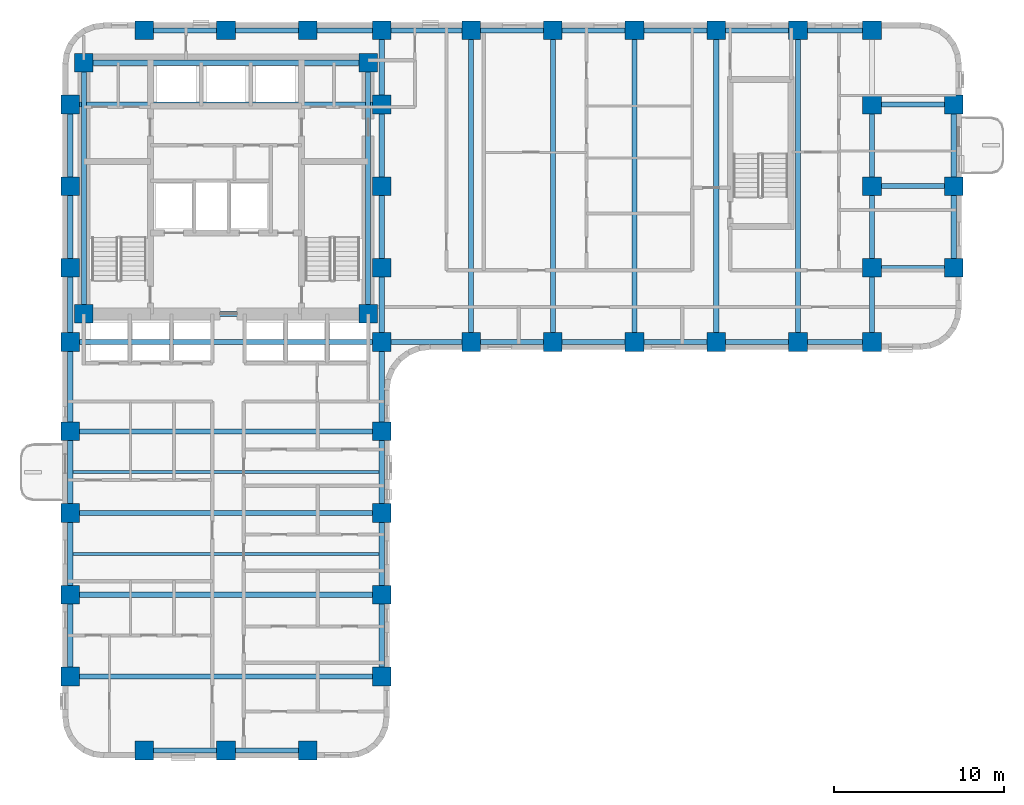
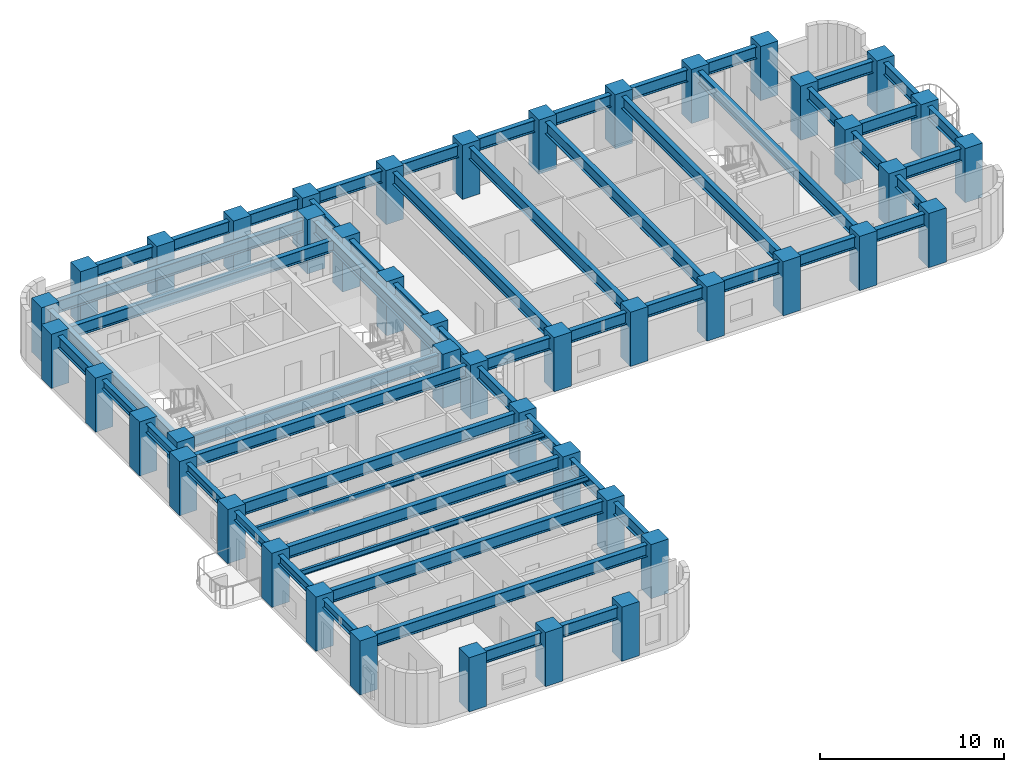
# One storey, part 1 of 12: 57 beams, 45 columns.
"""IFC4 building model written with IfcOpenShell, lengths in metres."""

import ifcopenshell
import ifcopenshell.guid

model = None  # the IFC model being written
_history = None  # IfcOwnerHistory: only IFC2X3 demands one
_inside = {}  # id of a spatial element -> (the spatial element, [elements in it])
_under = {}  # id of a project, library or spatial element -> (it, [spatial elements below it])
_declared = {}  # id of a project -> (the project, [libraries it declares])
_typed = {}  # id of a type object -> (the type object, [elements of that type])
_made_of = {}  # id of a material, layer set ... -> (it, [elements and type objects made of it])


def new_model(schema):
    """Start an empty IFC model of exactly this schema.

    Asked for "IFC4X3", IfcOpenShell would pick the latest addendum, in which some entities
    have other attributes; the version numbers below select the first issue.
    IFC2X3 requires an IfcOwnerHistory on every rooted entity: one is made here for all.
    """
    global model, _history
    if schema == "IFC4X3":
        model = ifcopenshell.file(schema_version=(4, 3, 0, 0))
    else:
        model = ifcopenshell.file(schema=schema)
    _inside.clear()
    _under.clear()
    _declared.clear()
    _typed.clear()
    _made_of.clear()
    _history = None
    if model.schema == "IFC2X3":
        org = make("IfcOrganization", Name="unknown")
        user = make(
            "IfcPersonAndOrganization",
            ThePerson=make("IfcPerson", FamilyName="unknown"),
            TheOrganization=org,
        )
        app = make(
            "IfcApplication",
            ApplicationDeveloper=org,
            Version="unknown",
            ApplicationFullName="unknown",
            ApplicationIdentifier="unknown",
        )
        _history = make(
            "IfcOwnerHistory",
            OwningUser=user,
            OwningApplication=app,
            ChangeAction="ADDED",
            CreationDate=0,
        )
    return model


def make(cls, **values):
    """One entity of the class cls with the attributes given. An attribute that is None is left unset."""
    return model.create_entity(
        cls, **{name: value for name, value in values.items() if value is not None}
    )


def rooted(cls, **values):
    """An entity with a GlobalId (a new one), such as an element, a storey or a relation."""
    return make(cls, GlobalId=ifcopenshell.guid.new(), OwnerHistory=_history, **values)


def si_unit(unit_type, name, prefix=None):
    """IfcSIUnit, for example si_unit("LENGTHUNIT", "METRE", prefix="MILLI")."""
    return make("IfcSIUnit", UnitType=unit_type, Prefix=prefix, Name=name)


def assignment(units):
    """IfcUnitAssignment: the units of a project."""
    return None if units is None else make("IfcUnitAssignment", Units=units)


def point(xyz):
    """IfcCartesianPoint."""
    return None if xyz is None else make("IfcCartesianPoint", Coordinates=xyz)


def direction(xyz):
    """IfcDirection."""
    return None if xyz is None else make("IfcDirection", DirectionRatios=xyz)


def frame(location, z_axis=None, x_axis=None):
    """IfcAxis2Placement3D, a coordinate frame: its origin and axes. An axis left out is left unset."""
    return make(
        "IfcAxis2Placement3D",
        Location=point(location),
        Axis=direction(z_axis),
        RefDirection=direction(x_axis),
    )


def frame_2d(location, x_axis=None):
    """IfcAxis2Placement2D, a coordinate frame in the plane: its origin and x axis."""
    return make(
        "IfcAxis2Placement2D", Location=point(location), RefDirection=direction(x_axis)
    )


def origin():
    """The frame at (0, 0, 0) with its axes left unset."""
    return frame((0.0, 0.0, 0.0))


def origin_2d():
    """The frame at (0, 0) in the plane with its x axis left unset."""
    return frame_2d((0.0, 0.0))


def place(relative_to, where):
    """IfcLocalPlacement: puts the frame where relative to a parent placement (None: the world)."""
    return make(
        "IfcLocalPlacement", PlacementRelTo=relative_to, RelativePlacement=where
    )


def context(
    kind, dimensions, precision=None, world=None, true_north=None, identifier=None
):
    """IfcGeometricRepresentationContext, for example the 3D "Model" context."""
    return make(
        "IfcGeometricRepresentationContext",
        ContextIdentifier=identifier,
        ContextType=kind,
        CoordinateSpaceDimension=dimensions,
        Precision=precision,
        WorldCoordinateSystem=world,
        TrueNorth=true_north,
    )


def subcontext(parent, identifier, kind, view, scale=None):
    """IfcGeometricRepresentationSubContext, for example "Body" below "Model"."""
    return make(
        "IfcGeometricRepresentationSubContext",
        ContextIdentifier=identifier,
        ContextType=kind,
        ParentContext=parent,
        TargetScale=scale,
        TargetView=view,
    )


def project(units=None, contexts=None):
    """IfcProject with its units and contexts."""
    return rooted(
        "IfcProject",
        Name="project",
        RepresentationContexts=contexts,
        UnitsInContext=assignment(units),
    )


def spatial(cls, under=None, at=None, **own):
    """A site, building, storey or space (cls), placed at a placement, below another one or the project."""
    s = rooted(cls, ObjectPlacement=at, **own)
    if under is not None:
        _under.setdefault(under.id(), (under, []))[1].append(s)
    return s


def profile(cls, at=None, kind="AREA", **sizes):
    """A parametric profile (cls). Its sizes go by their IFC names, for example OverallWidth=200.0."""
    return make(cls, ProfileType=kind, Position=at, **sizes)


def rectangle(**sizes):
    """IfcRectangleProfileDef."""
    return profile("IfcRectangleProfileDef", **sizes)


def i_section(**sizes):
    """IfcIShapeProfileDef."""
    return profile("IfcIShapeProfileDef", **sizes)


def extrude(swept, where, along, depth):
    """IfcExtrudedAreaSolid: the profile swept, set in the frame where, extruded along a direction by depth."""
    return make(
        "IfcExtrudedAreaSolid",
        SweptArea=swept,
        Position=where,
        ExtrudedDirection=direction(along),
        Depth=depth,
    )


def shape(context_of_items, identifier, shape_type, items):
    """IfcShapeRepresentation: the items that make up one representation, for example the "Body"."""
    return make(
        "IfcShapeRepresentation",
        ContextOfItems=context_of_items,
        RepresentationIdentifier=identifier,
        RepresentationType=shape_type,
        Items=items,
    )


def material(Name=None, Category=None):
    """IfcMaterial."""
    return make("IfcMaterial", Name=Name, Category=Category)


def material_profile(
    of_material, cross_section, Name=None, Category=None, Priority=None
):
    """IfcMaterialProfile: a cross section and its material."""
    return make(
        "IfcMaterialProfile",
        Name=Name,
        Material=of_material,
        Profile=cross_section,
        Priority=Priority,
        Category=Category,
    )


def profile_set(profiles, Name=None, composite=None):
    """IfcMaterialProfileSet."""
    return make(
        "IfcMaterialProfileSet",
        Name=Name,
        MaterialProfiles=profiles,
        CompositeProfile=composite,
    )


def made_of(thing, what):
    """Note that an element or type object is made of a material, layer set ...; save() writes the relation."""
    if what is not None:
        _made_of.setdefault(what.id(), (what, []))[1].append(thing)
    return thing


def type_object(cls, material=None, **own):
    """A type object (cls), such as IfcWallType, which elements share."""
    return made_of(rooted(cls, **own), material)


def element(
    cls,
    number,
    at=None,
    inside=None,
    cuts=None,
    type_object=None,
    material=None,
    context=None,
    identifier="Body",
    shape_type=None,
    held_by="IfcProductDefinitionShape",
    body=None,
    shapes=None,
    **own,
):
    """One element of the class cls, such as IfcWall. Its Tag is "e" and its number.

    at: its placement. inside: the storey or other place that contains it. cuts: it is an
    opening in that element (IfcRelVoidsElement). A single representation is given by context,
    identifier, shape_type and body (its items); several are given by shapes. held_by: the class
    of the entity that holds the representations. save() writes the other relations.
    """
    e = rooted(cls, Tag="e%d" % number, ObjectPlacement=at, **own)
    if body is not None:
        shapes = [shape(context, identifier, shape_type, body)]
    if shapes is not None:
        e.Representation = make(held_by, Representations=shapes)
    if inside is not None:
        _inside.setdefault(inside.id(), (inside, []))[1].append(e)
    if cuts is not None:
        rooted(
            "IfcRelVoidsElement", RelatingBuildingElement=cuts, RelatedOpeningElement=e
        )
    if type_object is not None:
        _typed.setdefault(type_object.id(), (type_object, []))[1].append(e)
    return made_of(e, material)


def aggregate(whole, parts):
    """IfcRelAggregates: a whole, such as a stair, and the parts it consists of."""
    return rooted("IfcRelAggregates", RelatingObject=whole, RelatedObjects=parts)


def save(model, path):
    """Write the relations noted so far, then the file.

    IfcRelAggregates (storeys below a building ...), IfcRelContainedInSpatialStructure (elements
    in a storey), IfcRelDefinesByType, IfcRelAssociatesMaterial and IfcRelDeclares: one each for
    every whole, place, type object, material and project.
    """
    for whole, parts in _under.values():
        aggregate(whole, parts)
    for where, things in _inside.values():
        rooted(
            "IfcRelContainedInSpatialStructure",
            RelatedElements=things,
            RelatingStructure=where,
        )
    for kind, things in _typed.values():
        rooted("IfcRelDefinesByType", RelatedObjects=things, RelatingType=kind)
    for what, things in _made_of.values():
        rooted("IfcRelAssociatesMaterial", RelatedObjects=things, RelatingMaterial=what)
    for by, libraries in _declared.values():
        rooted("IfcRelDeclares", RelatingContext=by, RelatedDefinitions=libraries)
    model.write(path)


model = new_model("IFC4")

# Units and contexts
model_context = context("Model", 3, precision=1e-05, world=origin(), true_north=direction((0.0, 1.0)))
body_context = subcontext(model_context, "Body", "Model", "MODEL_VIEW")
ifc_project = project(units=[si_unit("LENGTHUNIT", "METRE"), si_unit("AREAUNIT", "SQUARE_METRE"), si_unit("VOLUMEUNIT", "CUBIC_METRE"), si_unit("PLANEANGLEUNIT", "RADIAN"), si_unit("MASSUNIT", "GRAM", prefix="KILO")], contexts=[model_context])

# Site, building, storey
site_placement = place(None, origin())
site = spatial("IfcSite", under=ifc_project, at=site_placement, CompositionType="ELEMENT")
building_placement = place(site_placement, origin())
building = spatial("IfcBuilding", under=site, at=building_placement, Name="Orvandelia Arch Residences", CompositionType="ELEMENT")
storey_placement = place(building_placement, frame((0.0, 0.0, 57.39990234375)))
storey = spatial("IfcBuildingStorey", under=building, at=storey_placement, Name="L14", CompositionType="ELEMENT", Elevation=57.39990234375)

# Columns
ifc_material_1 = material(Name="Concrete C80/95", Category="concrete")
ifc_material_profile_1 = material_profile(ifc_material_1, rectangle(XDim=1.10009765625, YDim=1.10009765625, at=origin_2d()), Name="Concrete C80/95", Category="concrete")
ifc_profile_set_1 = profile_set([ifc_material_profile_1], Name="Concrete C80/95")
column_type = type_object("IfcColumnType", Name="COL-TWR-1100", PredefinedType="COLUMN", material=ifc_profile_set_1)
for number, where, z_axis, x_axis, name in (
    (1, (5.25, 9.60009765625, 0.0), (0.0, 0.0, 1.0), (1.0, 0.0, 0.0), "Structural Column L14-W-W-96"),
    (2, (5.25, 14.39990234375, 0.0), (0.0, 0.0, 1.0), (1.0, 0.0, 0.0), "Structural Column L14-W-W-144"),
    (3, (5.25, 19.199951171875, 0.0), (0.0, 0.0, 1.0), (1.0, 0.0, 0.0), "Structural Column L14-W-W-192"),
    (4, (5.25, 24.0, 0.0), (0.0, 0.0, 1.0), (1.0, 0.0, 0.0), "Structural Column L14-W-W-240"),
    (5, (5.25, 29.25, 0.0), (0.0, 0.0, 1.0), (1.0, 0.0, 0.0), "Structural Column L14-W-W-292"),
    (6, (5.25, 33.60009765625, 0.0), (0.0, 0.0, 1.0), (1.0, 0.0, 0.0), "Structural Column L14-W-W-336"),
    (7, (5.25, 38.39990234375, 0.0), (0.0, 0.0, 1.0), (1.0, 0.0, 0.0), "Structural Column L14-W-W-384"),
    (8, (5.25, 43.199951171875, 0.0), (0.0, 0.0, 1.0), (1.0, 0.0, 0.0), "Structural Column L14-W-W-432"),
    (9, (6.050048828125, 30.89990234375, 0.0), (0.0, 0.0, 1.0), (1.0, 0.0, 0.0), "Structural Column L14-CR-SW"),
    (10, (6.050048828125, 45.64990234375, 0.0), (0.0, 0.0, 1.0), (1.0, 0.0, 0.0), "Structural Column L14-CR-NW"),
    (11, (9.60009765625, 5.25, 0.0), (0.0, 0.0, 1.0), (1.0, 0.0, 0.0), "Structural Column L14-W-S-96"),
    (12, (9.60009765625, 47.550048828125, 0.0), (0.0, 0.0, 1.0), (1.0, 0.0, 0.0), "Structural Column L14-W-N-96"),
    (13, (14.39990234375, 5.25, 0.0), (0.0, 0.0, 1.0), (1.0, 0.0, 0.0), "Structural Column L14-W-S-144"),
    (14, (14.39990234375, 47.550048828125, 0.0), (0.0, 0.0, 1.0), (1.0, 0.0, 0.0), "Structural Column L14-W-N-144"),
    (15, (19.199951171875, 5.25, 0.0), (0.0, 0.0, 1.0), (1.0, 0.0, 0.0), "Structural Column L14-W-S-192"),
    (16, (19.199951171875, 47.550048828125, 0.0), (0.0, 0.0, 1.0), (1.0, 0.0, 0.0), "Structural Column L14-W-N-192"),
    (17, (22.75, 30.89990234375, 0.0), (0.0, 0.0, 1.0), (1.0, 0.0, 0.0), "Structural Column L14-CR-SE"),
    (18, (22.75, 45.64990234375, 0.0), (0.0, 0.0, 1.0), (1.0, 0.0, 0.0), "Structural Column L14-CR-NE"),
    (19, (23.550048828125, 9.60009765625, 0.0), (0.0, 0.0, 1.0), (1.0, 0.0, 0.0), "Structural Column L14-W-E-96"),
    (20, (23.550048828125, 14.39990234375, 0.0), (0.0, 0.0, 1.0), (1.0, 0.0, 0.0), "Structural Column L14-W-E-144"),
    (21, (23.550048828125, 19.199951171875, 0.0), (0.0, 0.0, 1.0), (1.0, 0.0, 0.0), "Structural Column L14-W-E-192"),
    (22, (23.550048828125, 24.0, 0.0), (0.0, 0.0, 1.0), (1.0, 0.0, 0.0), "Structural Column L14-W-E-240"),
    (23, (23.550048828125, 29.25, 0.0), (0.0, 0.0, 1.0), (1.0, 0.0, 0.0), "Structural Column L14-W-E-292"),
    (24, (23.550048828125, 33.60009765625, 0.0), (0.0, 0.0, 1.0), (1.0, 0.0, 0.0), "Structural Column L14-W-E-336"),
    (25, (23.550048828125, 38.39990234375, 0.0), (0.0, 0.0, 1.0), (1.0, 0.0, 0.0), "Structural Column L14-W-E-384"),
    (26, (23.550048828125, 43.199951171875, 0.0), (0.0, 0.0, 1.0), (1.0, 0.0, 0.0), "Structural Column L14-W-E-432"),
    (27, (23.550048828125, 47.550048828125, 0.0), (0.0, 0.0, 1.0), (1.0, 0.0, 0.0), "Structural Column L14-W-N-235"),
    (28, (28.800048828125, 29.25, 0.0), (0.0, 0.0, 1.0), (1.0, 0.0, 0.0), "Structural Column L14-E-S-288"),
    (29, (28.800048828125, 47.550048828125, 0.0), (0.0, 0.0, 1.0), (1.0, 0.0, 0.0), "Structural Column L14-E-N-288"),
    (30, (33.60009765625, 29.25, 0.0), (0.0, 0.0, 1.0), (1.0, 0.0, 0.0), "Structural Column L14-E-S-336"),
    (31, (33.60009765625, 47.550048828125, 0.0), (0.0, 0.0, 1.0), (1.0, 0.0, 0.0), "Structural Column L14-E-N-336"),
    (32, (38.39990234375, 29.25, 0.0), (0.0, 0.0, 1.0), (1.0, 0.0, 0.0), "Structural Column L14-E-S-384"),
    (33, (38.39990234375, 47.550048828125, 0.0), (0.0, 0.0, 1.0), (1.0, 0.0, 0.0), "Structural Column L14-E-N-384"),
    (34, (43.199951171875, 29.25, 0.0), (0.0, 0.0, 1.0), (1.0, 0.0, 0.0), "Structural Column L14-E-S-432"),
    (35, (43.199951171875, 47.550048828125, 0.0), (0.0, 0.0, 1.0), (1.0, 0.0, 0.0), "Structural Column L14-E-N-432"),
    (36, (48.0, 29.25, 0.0), (0.0, 0.0, 1.0), (1.0, 0.0, 0.0), "Structural Column L14-E-S-480"),
    (37, (48.0, 47.550048828125, 0.0), (0.0, 0.0, 1.0), (1.0, 0.0, 0.0), "Structural Column L14-E-N-480"),
    (38, (52.35009765625, 29.25, 0.0), (0.0, 0.0, 1.0), (1.0, 0.0, 0.0), "Structural Column L14-E-S-523"),
    (39, (52.35009765625, 33.60009765625, 0.0), (0.0, 0.0, 1.0), (1.0, 0.0, 0.0), "Structural Column L14-E-523-336"),
    (40, (52.35009765625, 38.39990234375, 0.0), (0.0, 0.0, 1.0), (1.0, 0.0, 0.0), "Structural Column L14-E-523-384"),
    (41, (52.35009765625, 43.199951171875, 0.0), (0.0, 0.0, 1.0), (1.0, 0.0, 0.0), "Structural Column L14-E-523-432"),
    (42, (52.35009765625, 47.550048828125, 0.0), (0.0, 0.0, 1.0), (1.0, 0.0, 0.0), "Structural Column L14-E-N-523"),
    (43, (57.14990234375, 33.60009765625, 0.0), (0.0, 0.0, 1.0), (1.0, 0.0, 0.0), "Structural Column L14-E-571-336"),
    (44, (57.14990234375, 38.39990234375, 0.0), (0.0, 0.0, 1.0), (1.0, 0.0, 0.0), "Structural Column L14-E-571-384"),
    (45, (57.14990234375, 43.199951171875, 0.0), (0.0, 0.0, 1.0), (1.0, 0.0, 0.0), "Structural Column L14-E-571-432"),
):
    element("IfcColumn", number, at=place(storey_placement, frame(where, z_axis=z_axis, x_axis=x_axis)), inside=storey, type_object=column_type, Name=name, PredefinedType="COLUMN", context=body_context, shape_type="SweptSolid", body=[
        extrude(rectangle(XDim=1.10009765625, YDim=1.10009765625, at=origin_2d()), origin(), (0.0, 0.0, 1.0), 3.60009765625),
    ])

# Beams
ifc_material_2 = material(Name="Structural Steel SM355 (355 MPa)", Category="steel")
ifc_material_profile_2 = material_profile(ifc_material_2, i_section(OverallWidth=0.300048828125, OverallDepth=0.800048828125, WebThickness=0.013916015625, FlangeThickness=0.02587890625, FilletRadius=0.02587890625, at=origin_2d()), Name="Structural Steel SM355 (355 MPa)", Category="steel")
ifc_profile_set_2 = profile_set([ifc_material_profile_2], Name="Structural Steel SM355 (355 MPa)")
beam_type_1 = type_object("IfcBeamType", Name="BM-GRD-H800", PredefinedType="BEAM", material=ifc_profile_set_2)
beam_1_placement = place(storey_placement, frame((5.25, 38.39990234375, 2.9501953125), z_axis=(0.0, 1.0, 0.0), x_axis=(-1.0, 0.0, 0.0)))
element("IfcBeam", 46, at=beam_1_placement, inside=storey, type_object=beam_type_1, Name="Structural Frame Beam L14-NS-007", PredefinedType="BEAM", context=body_context, shape_type="SweptSolid", body=[
    extrude(i_section(OverallWidth=0.300048828125, OverallDepth=0.800048828125, WebThickness=0.013916015625, FlangeThickness=0.02587890625, FilletRadius=0.02587890625, at=origin_2d()), origin(), (0.0, 0.0, 1.0), 4.800048828125),
])
for number, where, z_axis, x_axis, name in (
    (47, (6.050048828125, 30.89990234375, 2.9501953125), (0.0, 1.0, 0.0), (-1.0, 0.0, 0.0), "Structural Frame Beam L14-NS-008"),
    (48, (22.75, 30.89990234375, 2.9501953125), (0.0, 1.0, 0.0), (-1.0, 0.0, 0.0), "Structural Frame Beam L14-NS-009"),
):
    element("IfcBeam", number, at=place(storey_placement, frame(where, z_axis=z_axis, x_axis=x_axis)), inside=storey, type_object=beam_type_1, Name=name, PredefinedType="BEAM", context=body_context, shape_type="SweptSolid", body=[
        extrude(i_section(OverallWidth=0.300048828125, OverallDepth=0.800048828125, WebThickness=0.013916015625, FlangeThickness=0.02587890625, FilletRadius=0.02587890625, at=origin_2d()), origin(), (0.0, 0.0, 1.0), 14.75),
    ])
beam_2_placement = place(storey_placement, frame((23.550048828125, 9.60009765625, 2.9501953125), z_axis=(0.0, 1.0, 0.0), x_axis=(-1.0, 0.0, 0.0)))
element("IfcBeam", 49, at=beam_2_placement, inside=storey, type_object=beam_type_1, Name="Structural Frame Beam L14-NS-010", PredefinedType="BEAM", context=body_context, shape_type="SweptSolid", body=[
    extrude(i_section(OverallWidth=0.300048828125, OverallDepth=0.800048828125, WebThickness=0.013916015625, FlangeThickness=0.02587890625, FilletRadius=0.02587890625, at=origin_2d()), origin(), (0.0, 0.0, 1.0), 4.7998046875),
])
for number, where, z_axis, x_axis, name in (
    (50, (23.550048828125, 14.39990234375, 2.9501953125), (0.0, 1.0, 0.0), (-1.0, 0.0, 0.0), "Structural Frame Beam L14-NS-011"),
    (51, (23.550048828125, 19.199951171875, 2.9501953125), (0.0, 1.0, 0.0), (-1.0, 0.0, 0.0), "Structural Frame Beam L14-NS-012"),
):
    element("IfcBeam", number, at=place(storey_placement, frame(where, z_axis=z_axis, x_axis=x_axis)), inside=storey, type_object=beam_type_1, Name=name, PredefinedType="BEAM", context=body_context, shape_type="SweptSolid", body=[
        extrude(i_section(OverallWidth=0.300048828125, OverallDepth=0.800048828125, WebThickness=0.013916015625, FlangeThickness=0.02587890625, FilletRadius=0.02587890625, at=origin_2d()), origin(), (0.0, 0.0, 1.0), 4.800048828125),
    ])
beam_3_placement = place(storey_placement, frame((23.550048828125, 24.0, 2.9501953125), z_axis=(0.0, 1.0, 0.0), x_axis=(-1.0, 0.0, 0.0)))
element("IfcBeam", 52, at=beam_3_placement, inside=storey, type_object=beam_type_1, Name="Structural Frame Beam L14-NS-013", PredefinedType="BEAM", context=body_context, shape_type="SweptSolid", body=[
    extrude(i_section(OverallWidth=0.300048828125, OverallDepth=0.800048828125, WebThickness=0.013916015625, FlangeThickness=0.02587890625, FilletRadius=0.02587890625, at=origin_2d()), origin(), (0.0, 0.0, 1.0), 5.25),
])
beam_4_placement = place(storey_placement, frame((23.550048828125, 29.25, 2.9501953125), z_axis=(0.0, 1.0, 0.0), x_axis=(-1.0, 0.0, 0.0)))
element("IfcBeam", 53, at=beam_4_placement, inside=storey, type_object=beam_type_1, Name="Structural Frame Beam L14-NS-014", PredefinedType="BEAM", context=body_context, shape_type="SweptSolid", body=[
    extrude(i_section(OverallWidth=0.300048828125, OverallDepth=0.800048828125, WebThickness=0.013916015625, FlangeThickness=0.02587890625, FilletRadius=0.02587890625, at=origin_2d()), origin(), (0.0, 0.0, 1.0), 4.35009765625),
])
beam_5_placement = place(storey_placement, frame((23.550048828125, 33.60009765625, 2.9501953125), z_axis=(0.0, 1.0, 0.0), x_axis=(-1.0, 0.0, 0.0)))
element("IfcBeam", 54, at=beam_5_placement, inside=storey, type_object=beam_type_1, Name="Structural Frame Beam L14-NS-015", PredefinedType="BEAM", context=body_context, shape_type="SweptSolid", body=[
    extrude(i_section(OverallWidth=0.300048828125, OverallDepth=0.800048828125, WebThickness=0.013916015625, FlangeThickness=0.02587890625, FilletRadius=0.02587890625, at=origin_2d()), origin(), (0.0, 0.0, 1.0), 4.7998046875),
])
beam_6_placement = place(storey_placement, frame((23.550048828125, 38.39990234375, 2.9501953125), z_axis=(0.0, 1.0, 0.0), x_axis=(-1.0, 0.0, 0.0)))
element("IfcBeam", 55, at=beam_6_placement, inside=storey, type_object=beam_type_1, Name="Structural Frame Beam L14-NS-016", PredefinedType="BEAM", context=body_context, shape_type="SweptSolid", body=[
    extrude(i_section(OverallWidth=0.300048828125, OverallDepth=0.800048828125, WebThickness=0.013916015625, FlangeThickness=0.02587890625, FilletRadius=0.02587890625, at=origin_2d()), origin(), (0.0, 0.0, 1.0), 4.800048828125),
])
beam_7_placement = place(storey_placement, frame((23.550048828125, 43.199951171875, 2.9501953125), z_axis=(0.0, 1.0, 0.0), x_axis=(-1.0, 0.0, 0.0)))
element("IfcBeam", 56, at=beam_7_placement, inside=storey, type_object=beam_type_1, Name="Structural Frame Beam L14-NS-017", PredefinedType="BEAM", context=body_context, shape_type="SweptSolid", body=[
    extrude(i_section(OverallWidth=0.300048828125, OverallDepth=0.800048828125, WebThickness=0.013916015625, FlangeThickness=0.02587890625, FilletRadius=0.02587890625, at=origin_2d()), origin(), (0.0, 0.0, 1.0), 4.35009765625),
])
for number, where, z_axis, x_axis, name in (
    (57, (28.800048828125, 29.25, 2.9501953125), (0.0, 1.0, 0.0), (-1.0, 0.0, 0.0), "Structural Frame Beam L14-NS-018"),
    (58, (33.60009765625, 29.25, 2.9501953125), (0.0, 1.0, 0.0), (-1.0, 0.0, 0.0), "Structural Frame Beam L14-NS-019"),
    (59, (38.39990234375, 29.25, 2.9501953125), (0.0, 1.0, 0.0), (-1.0, 0.0, 0.0), "Structural Frame Beam L14-NS-020"),
    (60, (43.199951171875, 29.25, 2.9501953125), (0.0, 1.0, 0.0), (-1.0, 0.0, 0.0), "Structural Frame Beam L14-NS-021"),
    (61, (48.0, 29.25, 2.9501953125), (0.0, 1.0, 0.0), (-1.0, 0.0, 0.0), "Structural Frame Beam L14-NS-022"),
):
    element("IfcBeam", number, at=place(storey_placement, frame(where, z_axis=z_axis, x_axis=x_axis)), inside=storey, type_object=beam_type_1, Name=name, PredefinedType="BEAM", context=body_context, shape_type="SweptSolid", body=[
        extrude(i_section(OverallWidth=0.300048828125, OverallDepth=0.800048828125, WebThickness=0.013916015625, FlangeThickness=0.02587890625, FilletRadius=0.02587890625, at=origin_2d()), origin(), (0.0, 0.0, 1.0), 18.300048828125),
    ])
beam_8_placement = place(storey_placement, frame((52.35009765625, 29.25, 2.9501953125), z_axis=(0.0, 1.0, 0.0), x_axis=(-1.0, 0.0, 0.0)))
element("IfcBeam", 62, at=beam_8_placement, inside=storey, type_object=beam_type_1, Name="Structural Frame Beam L14-NS-023", PredefinedType="BEAM", context=body_context, shape_type="SweptSolid", body=[
    extrude(i_section(OverallWidth=0.300048828125, OverallDepth=0.800048828125, WebThickness=0.013916015625, FlangeThickness=0.02587890625, FilletRadius=0.02587890625, at=origin_2d()), origin(), (0.0, 0.0, 1.0), 4.35009765625),
])
beam_9_placement = place(storey_placement, frame((52.35009765625, 33.60009765625, 2.9501953125), z_axis=(0.0, 1.0, 0.0), x_axis=(-1.0, 0.0, 0.0)))
element("IfcBeam", 63, at=beam_9_placement, inside=storey, type_object=beam_type_1, Name="Structural Frame Beam L14-NS-024", PredefinedType="BEAM", context=body_context, shape_type="SweptSolid", body=[
    extrude(i_section(OverallWidth=0.300048828125, OverallDepth=0.800048828125, WebThickness=0.013916015625, FlangeThickness=0.02587890625, FilletRadius=0.02587890625, at=origin_2d()), origin(), (0.0, 0.0, 1.0), 4.7998046875),
])
beam_10_placement = place(storey_placement, frame((52.35009765625, 38.39990234375, 2.9501953125), z_axis=(0.0, 1.0, 0.0), x_axis=(-1.0, 0.0, 0.0)))
element("IfcBeam", 64, at=beam_10_placement, inside=storey, type_object=beam_type_1, Name="Structural Frame Beam L14-NS-025", PredefinedType="BEAM", context=body_context, shape_type="SweptSolid", body=[
    extrude(i_section(OverallWidth=0.300048828125, OverallDepth=0.800048828125, WebThickness=0.013916015625, FlangeThickness=0.02587890625, FilletRadius=0.02587890625, at=origin_2d()), origin(), (0.0, 0.0, 1.0), 4.800048828125),
])
beam_11_placement = place(storey_placement, frame((57.14990234375, 33.60009765625, 2.9501953125), z_axis=(0.0, 1.0, 0.0), x_axis=(-1.0, 0.0, 0.0)))
element("IfcBeam", 65, at=beam_11_placement, inside=storey, type_object=beam_type_1, Name="Structural Frame Beam L14-NS-027", PredefinedType="BEAM", context=body_context, shape_type="SweptSolid", body=[
    extrude(i_section(OverallWidth=0.300048828125, OverallDepth=0.800048828125, WebThickness=0.013916015625, FlangeThickness=0.02587890625, FilletRadius=0.02587890625, at=origin_2d()), origin(), (0.0, 0.0, 1.0), 4.7998046875),
])
beam_12_placement = place(storey_placement, frame((57.14990234375, 38.39990234375, 2.9501953125), z_axis=(0.0, 1.0, 0.0), x_axis=(-1.0, 0.0, 0.0)))
element("IfcBeam", 66, at=beam_12_placement, inside=storey, type_object=beam_type_1, Name="Structural Frame Beam L14-NS-028", PredefinedType="BEAM", context=body_context, shape_type="SweptSolid", body=[
    extrude(i_section(OverallWidth=0.300048828125, OverallDepth=0.800048828125, WebThickness=0.013916015625, FlangeThickness=0.02587890625, FilletRadius=0.02587890625, at=origin_2d()), origin(), (0.0, 0.0, 1.0), 4.800048828125),
])
beam_13_placement = place(storey_placement, frame((9.60009765625, 5.25, 2.9501953125), z_axis=(1.0, 0.0, 0.0), x_axis=(0.0, 1.0, 0.0)))
element("IfcBeam", 67, at=beam_13_placement, inside=storey, type_object=beam_type_1, Name="Structural Frame Girder L14-EW-029", PredefinedType="BEAM", context=body_context, shape_type="SweptSolid", body=[
    extrude(i_section(OverallWidth=0.300048828125, OverallDepth=0.800048828125, WebThickness=0.013916015625, FlangeThickness=0.02587890625, FilletRadius=0.02587890625, at=origin_2d()), origin(), (0.0, 0.0, 1.0), 4.7998046875),
])
beam_14_placement = place(storey_placement, frame((14.39990234375, 5.25, 2.9501953125), z_axis=(1.0, 0.0, 0.0), x_axis=(0.0, 1.0, 0.0)))
element("IfcBeam", 68, at=beam_14_placement, inside=storey, type_object=beam_type_1, Name="Structural Frame Girder L14-EW-030", PredefinedType="BEAM", context=body_context, shape_type="SweptSolid", body=[
    extrude(i_section(OverallWidth=0.300048828125, OverallDepth=0.800048828125, WebThickness=0.013916015625, FlangeThickness=0.02587890625, FilletRadius=0.02587890625, at=origin_2d()), origin(), (0.0, 0.0, 1.0), 4.800048828125),
])
for number, where, z_axis, x_axis, name in (
    (69, (5.25, 9.60009765625, 2.9501953125), (1.0, 0.0, 0.0), (0.0, 1.0, 0.0), "Structural Frame Girder L14-EW-031"),
    (70, (5.25, 14.39990234375, 2.9501953125), (1.0, 0.0, 0.0), (0.0, 1.0, 0.0), "Structural Frame Girder L14-EW-032"),
    (71, (5.25, 19.199951171875, 2.9501953125), (1.0, 0.0, 0.0), (0.0, 1.0, 0.0), "Structural Frame Girder L14-EW-033"),
    (72, (5.25, 24.0, 2.9501953125), (1.0, 0.0, 0.0), (0.0, 1.0, 0.0), "Structural Frame Girder L14-EW-034"),
    (73, (5.25, 29.25, 2.9501953125), (1.0, 0.0, 0.0), (0.0, 1.0, 0.0), "Structural Frame Girder L14-EW-035"),
):
    element("IfcBeam", number, at=place(storey_placement, frame(where, z_axis=z_axis, x_axis=x_axis)), inside=storey, type_object=beam_type_1, Name=name, PredefinedType="BEAM", context=body_context, shape_type="SweptSolid", body=[
        extrude(i_section(OverallWidth=0.300048828125, OverallDepth=0.800048828125, WebThickness=0.013916015625, FlangeThickness=0.02587890625, FilletRadius=0.02587890625, at=origin_2d()), origin(), (0.0, 0.0, 1.0), 18.300048828125),
    ])
beam_15_placement = place(storey_placement, frame((23.550048828125, 29.25, 2.9501953125), z_axis=(1.0, 0.0, 0.0), x_axis=(0.0, 1.0, 0.0)))
element("IfcBeam", 74, at=beam_15_placement, inside=storey, type_object=beam_type_1, Name="Structural Frame Girder L14-EW-036", PredefinedType="BEAM", context=body_context, shape_type="SweptSolid", body=[
    extrude(i_section(OverallWidth=0.300048828125, OverallDepth=0.800048828125, WebThickness=0.013916015625, FlangeThickness=0.02587890625, FilletRadius=0.02587890625, at=origin_2d()), origin(), (0.0, 0.0, 1.0), 5.25),
])
beam_16_placement = place(storey_placement, frame((28.800048828125, 29.25, 2.9501953125), z_axis=(1.0, 0.0, 0.0), x_axis=(0.0, 1.0, 0.0)))
element("IfcBeam", 75, at=beam_16_placement, inside=storey, type_object=beam_type_1, Name="Structural Frame Girder L14-EW-037", PredefinedType="BEAM", context=body_context, shape_type="SweptSolid", body=[
    extrude(i_section(OverallWidth=0.300048828125, OverallDepth=0.800048828125, WebThickness=0.013916015625, FlangeThickness=0.02587890625, FilletRadius=0.02587890625, at=origin_2d()), origin(), (0.0, 0.0, 1.0), 4.800048828125),
])
beam_17_placement = place(storey_placement, frame((33.60009765625, 29.25, 2.9501953125), z_axis=(1.0, 0.0, 0.0), x_axis=(0.0, 1.0, 0.0)))
element("IfcBeam", 76, at=beam_17_placement, inside=storey, type_object=beam_type_1, Name="Structural Frame Girder L14-EW-038", PredefinedType="BEAM", context=body_context, shape_type="SweptSolid", body=[
    extrude(i_section(OverallWidth=0.300048828125, OverallDepth=0.800048828125, WebThickness=0.013916015625, FlangeThickness=0.02587890625, FilletRadius=0.02587890625, at=origin_2d()), origin(), (0.0, 0.0, 1.0), 4.7998046875),
])
for number, where, z_axis, x_axis, name in (
    (77, (38.39990234375, 29.25, 2.9501953125), (1.0, 0.0, 0.0), (0.0, 1.0, 0.0), "Structural Frame Girder L14-EW-039"),
    (78, (43.199951171875, 29.25, 2.9501953125), (1.0, 0.0, 0.0), (0.0, 1.0, 0.0), "Structural Frame Girder L14-EW-040"),
):
    element("IfcBeam", number, at=place(storey_placement, frame(where, z_axis=z_axis, x_axis=x_axis)), inside=storey, type_object=beam_type_1, Name=name, PredefinedType="BEAM", context=body_context, shape_type="SweptSolid", body=[
        extrude(i_section(OverallWidth=0.300048828125, OverallDepth=0.800048828125, WebThickness=0.013916015625, FlangeThickness=0.02587890625, FilletRadius=0.02587890625, at=origin_2d()), origin(), (0.0, 0.0, 1.0), 4.800048828125),
    ])
beam_18_placement = place(storey_placement, frame((48.0, 29.25, 2.9501953125), z_axis=(1.0, 0.0, 0.0), x_axis=(0.0, 1.0, 0.0)))
element("IfcBeam", 79, at=beam_18_placement, inside=storey, type_object=beam_type_1, Name="Structural Frame Girder L14-EW-041", PredefinedType="BEAM", context=body_context, shape_type="SweptSolid", body=[
    extrude(i_section(OverallWidth=0.300048828125, OverallDepth=0.800048828125, WebThickness=0.013916015625, FlangeThickness=0.02587890625, FilletRadius=0.02587890625, at=origin_2d()), origin(), (0.0, 0.0, 1.0), 4.35009765625),
])
beam_19_placement = place(storey_placement, frame((6.050048828125, 30.89990234375, 2.9501953125), z_axis=(1.0, 0.0, 0.0), x_axis=(0.0, 1.0, 0.0)))
element("IfcBeam", 80, at=beam_19_placement, inside=storey, type_object=beam_type_1, Name="Structural Frame Girder L14-EW-042", PredefinedType="BEAM", context=body_context, shape_type="SweptSolid", body=[
    extrude(i_section(OverallWidth=0.300048828125, OverallDepth=0.800048828125, WebThickness=0.013916015625, FlangeThickness=0.02587890625, FilletRadius=0.02587890625, at=origin_2d()), origin(), (0.0, 0.0, 1.0), 16.699951171875),
])
for number, where, z_axis, x_axis, name in (
    (81, (52.35009765625, 33.60009765625, 2.9501953125), (1.0, 0.0, 0.0), (0.0, 1.0, 0.0), "Structural Frame Girder L14-EW-044"),
    (82, (52.35009765625, 38.39990234375, 2.9501953125), (1.0, 0.0, 0.0), (0.0, 1.0, 0.0), "Structural Frame Girder L14-EW-046"),
):
    element("IfcBeam", number, at=place(storey_placement, frame(where, z_axis=z_axis, x_axis=x_axis)), inside=storey, type_object=beam_type_1, Name=name, PredefinedType="BEAM", context=body_context, shape_type="SweptSolid", body=[
        extrude(i_section(OverallWidth=0.300048828125, OverallDepth=0.800048828125, WebThickness=0.013916015625, FlangeThickness=0.02587890625, FilletRadius=0.02587890625, at=origin_2d()), origin(), (0.0, 0.0, 1.0), 4.7998046875),
    ])
beam_20_placement = place(storey_placement, frame((5.25, 43.199951171875, 2.9501953125), z_axis=(1.0, 0.0, 0.0), x_axis=(0.0, 1.0, 0.0)))
element("IfcBeam", 83, at=beam_20_placement, inside=storey, type_object=beam_type_1, Name="Structural Frame Girder L14-EW-047", PredefinedType="BEAM", context=body_context, shape_type="SweptSolid", body=[
    extrude(i_section(OverallWidth=0.300048828125, OverallDepth=0.800048828125, WebThickness=0.013916015625, FlangeThickness=0.02587890625, FilletRadius=0.02587890625, at=origin_2d()), origin(), (0.0, 0.0, 1.0), 18.300048828125),
])
beam_21_placement = place(storey_placement, frame((52.35009765625, 43.199951171875, 2.9501953125), z_axis=(1.0, 0.0, 0.0), x_axis=(0.0, 1.0, 0.0)))
element("IfcBeam", 84, at=beam_21_placement, inside=storey, type_object=beam_type_1, Name="Structural Frame Girder L14-EW-048", PredefinedType="BEAM", context=body_context, shape_type="SweptSolid", body=[
    extrude(i_section(OverallWidth=0.300048828125, OverallDepth=0.800048828125, WebThickness=0.013916015625, FlangeThickness=0.02587890625, FilletRadius=0.02587890625, at=origin_2d()), origin(), (0.0, 0.0, 1.0), 4.7998046875),
])
beam_22_placement = place(storey_placement, frame((6.050048828125, 45.64990234375, 2.9501953125), z_axis=(1.0, 0.0, 0.0), x_axis=(0.0, 1.0, 0.0)))
element("IfcBeam", 85, at=beam_22_placement, inside=storey, type_object=beam_type_1, Name="Structural Frame Girder L14-EW-049", PredefinedType="BEAM", context=body_context, shape_type="SweptSolid", body=[
    extrude(i_section(OverallWidth=0.300048828125, OverallDepth=0.800048828125, WebThickness=0.013916015625, FlangeThickness=0.02587890625, FilletRadius=0.02587890625, at=origin_2d()), origin(), (0.0, 0.0, 1.0), 16.699951171875),
])
beam_23_placement = place(storey_placement, frame((9.60009765625, 47.550048828125, 2.9501953125), z_axis=(1.0, 0.0, 0.0), x_axis=(0.0, 1.0, 0.0)))
element("IfcBeam", 86, at=beam_23_placement, inside=storey, type_object=beam_type_1, Name="Structural Frame Girder L14-EW-050", PredefinedType="BEAM", context=body_context, shape_type="SweptSolid", body=[
    extrude(i_section(OverallWidth=0.300048828125, OverallDepth=0.800048828125, WebThickness=0.013916015625, FlangeThickness=0.02587890625, FilletRadius=0.02587890625, at=origin_2d()), origin(), (0.0, 0.0, 1.0), 4.7998046875),
])
beam_24_placement = place(storey_placement, frame((14.39990234375, 47.550048828125, 2.9501953125), z_axis=(1.0, 0.0, 0.0), x_axis=(0.0, 1.0, 0.0)))
element("IfcBeam", 87, at=beam_24_placement, inside=storey, type_object=beam_type_1, Name="Structural Frame Girder L14-EW-051", PredefinedType="BEAM", context=body_context, shape_type="SweptSolid", body=[
    extrude(i_section(OverallWidth=0.300048828125, OverallDepth=0.800048828125, WebThickness=0.013916015625, FlangeThickness=0.02587890625, FilletRadius=0.02587890625, at=origin_2d()), origin(), (0.0, 0.0, 1.0), 4.800048828125),
])
beam_25_placement = place(storey_placement, frame((19.199951171875, 47.550048828125, 2.9501953125), z_axis=(1.0, 0.0, 0.0), x_axis=(0.0, 1.0, 0.0)))
element("IfcBeam", 88, at=beam_25_placement, inside=storey, type_object=beam_type_1, Name="Structural Frame Girder L14-EW-052", PredefinedType="BEAM", context=body_context, shape_type="SweptSolid", body=[
    extrude(i_section(OverallWidth=0.300048828125, OverallDepth=0.800048828125, WebThickness=0.013916015625, FlangeThickness=0.02587890625, FilletRadius=0.02587890625, at=origin_2d()), origin(), (0.0, 0.0, 1.0), 4.35009765625),
])
beam_26_placement = place(storey_placement, frame((23.550048828125, 47.550048828125, 2.9501953125), z_axis=(1.0, 0.0, 0.0), x_axis=(0.0, 1.0, 0.0)))
element("IfcBeam", 89, at=beam_26_placement, inside=storey, type_object=beam_type_1, Name="Structural Frame Girder L14-EW-053", PredefinedType="BEAM", context=body_context, shape_type="SweptSolid", body=[
    extrude(i_section(OverallWidth=0.300048828125, OverallDepth=0.800048828125, WebThickness=0.013916015625, FlangeThickness=0.02587890625, FilletRadius=0.02587890625, at=origin_2d()), origin(), (0.0, 0.0, 1.0), 5.25),
])
beam_27_placement = place(storey_placement, frame((28.800048828125, 47.550048828125, 2.9501953125), z_axis=(1.0, 0.0, 0.0), x_axis=(0.0, 1.0, 0.0)))
element("IfcBeam", 90, at=beam_27_placement, inside=storey, type_object=beam_type_1, Name="Structural Frame Girder L14-EW-054", PredefinedType="BEAM", context=body_context, shape_type="SweptSolid", body=[
    extrude(i_section(OverallWidth=0.300048828125, OverallDepth=0.800048828125, WebThickness=0.013916015625, FlangeThickness=0.02587890625, FilletRadius=0.02587890625, at=origin_2d()), origin(), (0.0, 0.0, 1.0), 4.800048828125),
])
beam_28_placement = place(storey_placement, frame((33.60009765625, 47.550048828125, 2.9501953125), z_axis=(1.0, 0.0, 0.0), x_axis=(0.0, 1.0, 0.0)))
element("IfcBeam", 91, at=beam_28_placement, inside=storey, type_object=beam_type_1, Name="Structural Frame Girder L14-EW-055", PredefinedType="BEAM", context=body_context, shape_type="SweptSolid", body=[
    extrude(i_section(OverallWidth=0.300048828125, OverallDepth=0.800048828125, WebThickness=0.013916015625, FlangeThickness=0.02587890625, FilletRadius=0.02587890625, at=origin_2d()), origin(), (0.0, 0.0, 1.0), 4.7998046875),
])
for number, where, z_axis, x_axis, name in (
    (92, (38.39990234375, 47.550048828125, 2.9501953125), (1.0, 0.0, 0.0), (0.0, 1.0, 0.0), "Structural Frame Girder L14-EW-056"),
    (93, (43.199951171875, 47.550048828125, 2.9501953125), (1.0, 0.0, 0.0), (0.0, 1.0, 0.0), "Structural Frame Girder L14-EW-057"),
):
    element("IfcBeam", number, at=place(storey_placement, frame(where, z_axis=z_axis, x_axis=x_axis)), inside=storey, type_object=beam_type_1, Name=name, PredefinedType="BEAM", context=body_context, shape_type="SweptSolid", body=[
        extrude(i_section(OverallWidth=0.300048828125, OverallDepth=0.800048828125, WebThickness=0.013916015625, FlangeThickness=0.02587890625, FilletRadius=0.02587890625, at=origin_2d()), origin(), (0.0, 0.0, 1.0), 4.800048828125),
    ])
beam_29_placement = place(storey_placement, frame((48.0, 47.550048828125, 2.9501953125), z_axis=(1.0, 0.0, 0.0), x_axis=(0.0, 1.0, 0.0)))
element("IfcBeam", 94, at=beam_29_placement, inside=storey, type_object=beam_type_1, Name="Structural Frame Girder L14-EW-058", PredefinedType="BEAM", context=body_context, shape_type="SweptSolid", body=[
    extrude(i_section(OverallWidth=0.300048828125, OverallDepth=0.800048828125, WebThickness=0.013916015625, FlangeThickness=0.02587890625, FilletRadius=0.02587890625, at=origin_2d()), origin(), (0.0, 0.0, 1.0), 4.35009765625),
])
ifc_material_profile_3 = material_profile(ifc_material_2, i_section(OverallWidth=0.175048828125, OverallDepth=0.35009765625, WebThickness=0.007080078125, FlangeThickness=0.010986328125, FilletRadius=0.012939453125, at=origin_2d()), Name="Structural Steel SM355 (355 MPa)", Category="steel")
ifc_profile_set_3 = profile_set([ifc_material_profile_3], Name="Structural Steel SM355 (355 MPa)")
beam_type_2 = type_object("IfcBeamType", Name="BM-JST-H350", PredefinedType="JOIST", material=ifc_profile_set_3)
for number, where, z_axis, x_axis, name in (
    (95, (5.25, 16.800048828125, 3.175048828125), (1.0, 0.0, 0.0), (0.0, 1.0, 0.0), "Composite Floor Joist L14-J1"),
    (96, (5.25, 21.60009765625, 3.175048828125), (1.0, 0.0, 0.0), (0.0, 1.0, 0.0), "Composite Floor Joist L14-J2"),
):
    element("IfcBeam", number, at=place(storey_placement, frame(where, z_axis=z_axis, x_axis=x_axis)), inside=storey, type_object=beam_type_2, Name=name, PredefinedType="JOIST", context=body_context, shape_type="SweptSolid", body=[
        extrude(i_section(OverallWidth=0.175048828125, OverallDepth=0.35009765625, WebThickness=0.007080078125, FlangeThickness=0.010986328125, FilletRadius=0.012939453125, at=origin_2d()), origin(), (0.0, 0.0, 1.0), 18.300048828125),
    ])
ifc_material_profile_4 = material_profile(ifc_material_2, i_section(OverallWidth=0.300048828125, OverallDepth=0.587890625, WebThickness=0.011962890625, FlangeThickness=0.02001953125, FilletRadius=0.02197265625, at=origin_2d()), Name="Structural Steel SM355 (355 MPa)", Category="steel")
ifc_profile_set_4 = profile_set([ifc_material_profile_4], Name="Structural Steel SM355 (355 MPa)")
beam_type_3 = type_object("IfcBeamType", Name="BM-SPN-H588", PredefinedType="SPANDREL", material=ifc_profile_set_4)
beam_30_placement = place(storey_placement, frame((5.25, 9.60009765625, 3.05615234375), z_axis=(0.0, 1.0, 0.0), x_axis=(-1.0, 0.0, 0.0)))
element("IfcBeam", 97, at=beam_30_placement, inside=storey, type_object=beam_type_3, Name="Structural Frame Beam L14-NS-001", PredefinedType="SPANDREL", context=body_context, shape_type="SweptSolid", body=[
    extrude(i_section(OverallWidth=0.300048828125, OverallDepth=0.587890625, WebThickness=0.011962890625, FlangeThickness=0.02001953125, FilletRadius=0.02197265625, at=origin_2d()), origin(), (0.0, 0.0, 1.0), 4.7998046875),
])
for number, where, z_axis, x_axis, name in (
    (98, (5.25, 14.39990234375, 3.05615234375), (0.0, 1.0, 0.0), (-1.0, 0.0, 0.0), "Structural Frame Beam L14-NS-002"),
    (99, (5.25, 19.199951171875, 3.05615234375), (0.0, 1.0, 0.0), (-1.0, 0.0, 0.0), "Structural Frame Beam L14-NS-003"),
):
    element("IfcBeam", number, at=place(storey_placement, frame(where, z_axis=z_axis, x_axis=x_axis)), inside=storey, type_object=beam_type_3, Name=name, PredefinedType="SPANDREL", context=body_context, shape_type="SweptSolid", body=[
        extrude(i_section(OverallWidth=0.300048828125, OverallDepth=0.587890625, WebThickness=0.011962890625, FlangeThickness=0.02001953125, FilletRadius=0.02197265625, at=origin_2d()), origin(), (0.0, 0.0, 1.0), 4.800048828125),
    ])
beam_31_placement = place(storey_placement, frame((5.25, 24.0, 3.05615234375), z_axis=(0.0, 1.0, 0.0), x_axis=(-1.0, 0.0, 0.0)))
element("IfcBeam", 100, at=beam_31_placement, inside=storey, type_object=beam_type_3, Name="Structural Frame Beam L14-NS-004", PredefinedType="SPANDREL", context=body_context, shape_type="SweptSolid", body=[
    extrude(i_section(OverallWidth=0.300048828125, OverallDepth=0.587890625, WebThickness=0.011962890625, FlangeThickness=0.02001953125, FilletRadius=0.02197265625, at=origin_2d()), origin(), (0.0, 0.0, 1.0), 5.25),
])
beam_32_placement = place(storey_placement, frame((5.25, 29.25, 3.05615234375), z_axis=(0.0, 1.0, 0.0), x_axis=(-1.0, 0.0, 0.0)))
element("IfcBeam", 101, at=beam_32_placement, inside=storey, type_object=beam_type_3, Name="Structural Frame Beam L14-NS-005", PredefinedType="SPANDREL", context=body_context, shape_type="SweptSolid", body=[
    extrude(i_section(OverallWidth=0.300048828125, OverallDepth=0.587890625, WebThickness=0.011962890625, FlangeThickness=0.02001953125, FilletRadius=0.02197265625, at=origin_2d()), origin(), (0.0, 0.0, 1.0), 4.35009765625),
])
beam_33_placement = place(storey_placement, frame((5.25, 33.60009765625, 3.05615234375), z_axis=(0.0, 1.0, 0.0), x_axis=(-1.0, 0.0, 0.0)))
element("IfcBeam", 102, at=beam_33_placement, inside=storey, type_object=beam_type_3, Name="Structural Frame Beam L14-NS-006", PredefinedType="SPANDREL", context=body_context, shape_type="SweptSolid", body=[
    extrude(i_section(OverallWidth=0.300048828125, OverallDepth=0.587890625, WebThickness=0.011962890625, FlangeThickness=0.02001953125, FilletRadius=0.02197265625, at=origin_2d()), origin(), (0.0, 0.0, 1.0), 4.7998046875),
])

save(model, "model.ifc")
